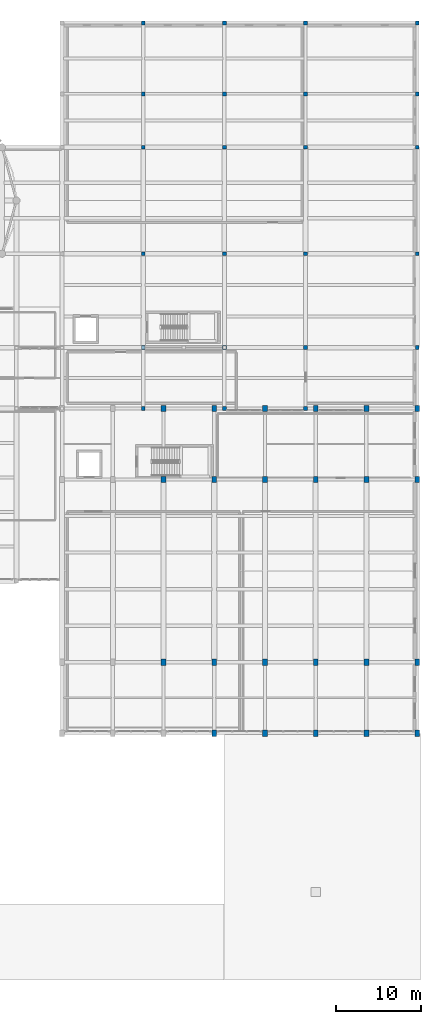
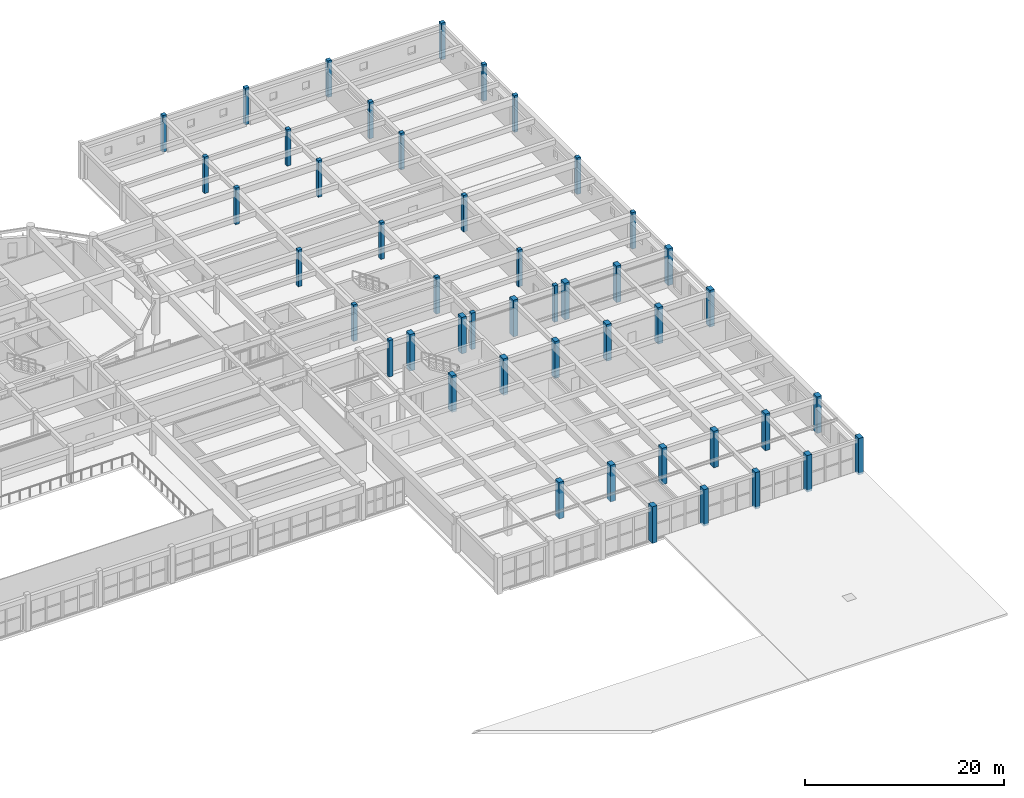
# One storey, part 4 of 92: 46 columns.
"""IFC4 building model written with IfcOpenShell, lengths in metres."""

import ifcopenshell
import ifcopenshell.guid

model = None  # the IFC model being written
_history = None  # IfcOwnerHistory: only IFC2X3 demands one
_inside = {}  # id of a spatial element -> (the spatial element, [elements in it])
_under = {}  # id of a project, library or spatial element -> (it, [spatial elements below it])
_declared = {}  # id of a project -> (the project, [libraries it declares])
_typed = {}  # id of a type object -> (the type object, [elements of that type])
_made_of = {}  # id of a material, layer set ... -> (it, [elements and type objects made of it])


def new_model(schema):
    """Start an empty IFC model of exactly this schema.

    Asked for "IFC4X3", IfcOpenShell would pick the latest addendum, in which some entities
    have other attributes; the version numbers below select the first issue.
    IFC2X3 requires an IfcOwnerHistory on every rooted entity: one is made here for all.
    """
    global model, _history
    if schema == "IFC4X3":
        model = ifcopenshell.file(schema_version=(4, 3, 0, 0))
    else:
        model = ifcopenshell.file(schema=schema)
    _inside.clear()
    _under.clear()
    _declared.clear()
    _typed.clear()
    _made_of.clear()
    _history = None
    if model.schema == "IFC2X3":
        org = make("IfcOrganization", Name="unknown")
        user = make(
            "IfcPersonAndOrganization",
            ThePerson=make("IfcPerson", FamilyName="unknown"),
            TheOrganization=org,
        )
        app = make(
            "IfcApplication",
            ApplicationDeveloper=org,
            Version="unknown",
            ApplicationFullName="unknown",
            ApplicationIdentifier="unknown",
        )
        _history = make(
            "IfcOwnerHistory",
            OwningUser=user,
            OwningApplication=app,
            ChangeAction="ADDED",
            CreationDate=0,
        )
    return model


def make(cls, **values):
    """One entity of the class cls with the attributes given. An attribute that is None is left unset."""
    return model.create_entity(
        cls, **{name: value for name, value in values.items() if value is not None}
    )


def rooted(cls, **values):
    """An entity with a GlobalId (a new one), such as an element, a storey or a relation."""
    return make(cls, GlobalId=ifcopenshell.guid.new(), OwnerHistory=_history, **values)


def si_unit(unit_type, name, prefix=None):
    """IfcSIUnit, for example si_unit("LENGTHUNIT", "METRE", prefix="MILLI")."""
    return make("IfcSIUnit", UnitType=unit_type, Prefix=prefix, Name=name)


def assignment(units):
    """IfcUnitAssignment: the units of a project."""
    return None if units is None else make("IfcUnitAssignment", Units=units)


def point(xyz):
    """IfcCartesianPoint."""
    return None if xyz is None else make("IfcCartesianPoint", Coordinates=xyz)


def direction(xyz):
    """IfcDirection."""
    return None if xyz is None else make("IfcDirection", DirectionRatios=xyz)


def frame(location, z_axis=None, x_axis=None):
    """IfcAxis2Placement3D, a coordinate frame: its origin and axes. An axis left out is left unset."""
    return make(
        "IfcAxis2Placement3D",
        Location=point(location),
        Axis=direction(z_axis),
        RefDirection=direction(x_axis),
    )


def frame_2d(location, x_axis=None):
    """IfcAxis2Placement2D, a coordinate frame in the plane: its origin and x axis."""
    return make(
        "IfcAxis2Placement2D", Location=point(location), RefDirection=direction(x_axis)
    )


def origin():
    """The frame at (0, 0, 0) with its axes left unset."""
    return frame((0.0, 0.0, 0.0))


def origin_2d():
    """The frame at (0, 0) in the plane with its x axis left unset."""
    return frame_2d((0.0, 0.0))


def place(relative_to, where):
    """IfcLocalPlacement: puts the frame where relative to a parent placement (None: the world)."""
    return make(
        "IfcLocalPlacement", PlacementRelTo=relative_to, RelativePlacement=where
    )


def context(
    kind, dimensions, precision=None, world=None, true_north=None, identifier=None
):
    """IfcGeometricRepresentationContext, for example the 3D "Model" context."""
    return make(
        "IfcGeometricRepresentationContext",
        ContextIdentifier=identifier,
        ContextType=kind,
        CoordinateSpaceDimension=dimensions,
        Precision=precision,
        WorldCoordinateSystem=world,
        TrueNorth=true_north,
    )


def subcontext(parent, identifier, kind, view, scale=None):
    """IfcGeometricRepresentationSubContext, for example "Body" below "Model"."""
    return make(
        "IfcGeometricRepresentationSubContext",
        ContextIdentifier=identifier,
        ContextType=kind,
        ParentContext=parent,
        TargetScale=scale,
        TargetView=view,
    )


def project(units=None, contexts=None):
    """IfcProject with its units and contexts."""
    return rooted(
        "IfcProject",
        Name="project",
        RepresentationContexts=contexts,
        UnitsInContext=assignment(units),
    )


def spatial(cls, under=None, at=None, **own):
    """A site, building, storey or space (cls), placed at a placement, below another one or the project."""
    s = rooted(cls, ObjectPlacement=at, **own)
    if under is not None:
        _under.setdefault(under.id(), (under, []))[1].append(s)
    return s


def profile(cls, at=None, kind="AREA", **sizes):
    """A parametric profile (cls). Its sizes go by their IFC names, for example OverallWidth=200.0."""
    return make(cls, ProfileType=kind, Position=at, **sizes)


def rectangle(**sizes):
    """IfcRectangleProfileDef."""
    return profile("IfcRectangleProfileDef", **sizes)


def extrude(swept, where, along, depth):
    """IfcExtrudedAreaSolid: the profile swept, set in the frame where, extruded along a direction by depth."""
    return make(
        "IfcExtrudedAreaSolid",
        SweptArea=swept,
        Position=where,
        ExtrudedDirection=direction(along),
        Depth=depth,
    )


def shape(context_of_items, identifier, shape_type, items):
    """IfcShapeRepresentation: the items that make up one representation, for example the "Body"."""
    return make(
        "IfcShapeRepresentation",
        ContextOfItems=context_of_items,
        RepresentationIdentifier=identifier,
        RepresentationType=shape_type,
        Items=items,
    )


def material(Name=None, Category=None):
    """IfcMaterial."""
    return make("IfcMaterial", Name=Name, Category=Category)


def material_profile(
    of_material, cross_section, Name=None, Category=None, Priority=None
):
    """IfcMaterialProfile: a cross section and its material."""
    return make(
        "IfcMaterialProfile",
        Name=Name,
        Material=of_material,
        Profile=cross_section,
        Priority=Priority,
        Category=Category,
    )


def profile_set(profiles, Name=None, composite=None):
    """IfcMaterialProfileSet."""
    return make(
        "IfcMaterialProfileSet",
        Name=Name,
        MaterialProfiles=profiles,
        CompositeProfile=composite,
    )


def made_of(thing, what):
    """Note that an element or type object is made of a material, layer set ...; save() writes the relation."""
    if what is not None:
        _made_of.setdefault(what.id(), (what, []))[1].append(thing)
    return thing


def type_object(cls, material=None, **own):
    """A type object (cls), such as IfcWallType, which elements share."""
    return made_of(rooted(cls, **own), material)


def element(
    cls,
    number,
    at=None,
    inside=None,
    cuts=None,
    type_object=None,
    material=None,
    context=None,
    identifier="Body",
    shape_type=None,
    held_by="IfcProductDefinitionShape",
    body=None,
    shapes=None,
    **own,
):
    """One element of the class cls, such as IfcWall. Its Tag is "e" and its number.

    at: its placement. inside: the storey or other place that contains it. cuts: it is an
    opening in that element (IfcRelVoidsElement). A single representation is given by context,
    identifier, shape_type and body (its items); several are given by shapes. held_by: the class
    of the entity that holds the representations. save() writes the other relations.
    """
    e = rooted(cls, Tag="e%d" % number, ObjectPlacement=at, **own)
    if body is not None:
        shapes = [shape(context, identifier, shape_type, body)]
    if shapes is not None:
        e.Representation = make(held_by, Representations=shapes)
    if inside is not None:
        _inside.setdefault(inside.id(), (inside, []))[1].append(e)
    if cuts is not None:
        rooted(
            "IfcRelVoidsElement", RelatingBuildingElement=cuts, RelatedOpeningElement=e
        )
    if type_object is not None:
        _typed.setdefault(type_object.id(), (type_object, []))[1].append(e)
    return made_of(e, material)


def aggregate(whole, parts):
    """IfcRelAggregates: a whole, such as a stair, and the parts it consists of."""
    return rooted("IfcRelAggregates", RelatingObject=whole, RelatedObjects=parts)


def save(model, path):
    """Write the relations noted so far, then the file.

    IfcRelAggregates (storeys below a building ...), IfcRelContainedInSpatialStructure (elements
    in a storey), IfcRelDefinesByType, IfcRelAssociatesMaterial and IfcRelDeclares: one each for
    every whole, place, type object, material and project.
    """
    for whole, parts in _under.values():
        aggregate(whole, parts)
    for where, things in _inside.values():
        rooted(
            "IfcRelContainedInSpatialStructure",
            RelatedElements=things,
            RelatingStructure=where,
        )
    for kind, things in _typed.values():
        rooted("IfcRelDefinesByType", RelatedObjects=things, RelatingType=kind)
    for what, things in _made_of.values():
        rooted("IfcRelAssociatesMaterial", RelatedObjects=things, RelatingMaterial=what)
    for by, libraries in _declared.values():
        rooted("IfcRelDeclares", RelatingContext=by, RelatedDefinitions=libraries)
    model.write(path)


model = new_model("IFC4")

# Units and contexts
model_context = context("Model", 3, precision=1e-05, world=origin(), true_north=direction((0.0, 1.0)))
body_context = subcontext(model_context, "Body", "Model", "MODEL_VIEW")
ifc_project = project(units=[si_unit("LENGTHUNIT", "METRE"), si_unit("AREAUNIT", "SQUARE_METRE"), si_unit("VOLUMEUNIT", "CUBIC_METRE"), si_unit("PLANEANGLEUNIT", "RADIAN"), si_unit("MASSUNIT", "GRAM", prefix="KILO")], contexts=[model_context])

# Site, building, storey
site_placement = place(None, origin())
site = spatial("IfcSite", under=ifc_project, at=site_placement, CompositionType="ELEMENT")
building_placement = place(site_placement, origin())
building = spatial("IfcBuilding", under=site, at=building_placement, Name="Tarnavel Promenade Courthouse", CompositionType="ELEMENT")
storey_placement = place(building_placement, frame((0.0, 0.0, 5.39990234375)))
storey = spatial("IfcBuildingStorey", under=building, at=storey_placement, Name="L02", CompositionType="ELEMENT", Elevation=5.39990234375)

# Columns
ifc_material = material(Name="Concrete C40/50", Category="concrete")
ifc_material_profile_1 = material_profile(ifc_material, rectangle(XDim=0.449951171875, YDim=0.449951171875, at=origin_2d()), Name="RC 450x450")
ifc_profile_set_1 = profile_set([ifc_material_profile_1], Name="Concrete C40/50")
column_type_1 = type_object("IfcColumnType", Name="Concrete C40/50 COL-RC450-PAV (RC 450x450)", PredefinedType="COLUMN", material=ifc_profile_set_1)
for number, where, z_axis, x_axis, name in (
    (1, (129.60009765625, 67.199951171875, 0.0), (0.0, 0.0, 1.0), (1.0, 0.0, 0.0), "L02 Structural Column 0908"),
    (2, (129.60009765625, 74.39990234375, 0.0), (0.0, 0.0, 1.0), (1.0, 0.0, 0.0), "L02 Structural Column 0912"),
    (3, (129.60009765625, 85.5, 0.0), (0.0, 0.0, 1.0), (1.0, 0.0, 0.0), "L02 Structural Column 0916"),
    (4, (129.60009765625, 98.10009765625, 0.0), (0.0, 0.0, 1.0), (1.0, 0.0, 0.0), "L02 Structural Column 0920"),
    (5, (129.60009765625, 104.39990234375, 0.0), (0.0, 0.0, 1.0), (1.0, 0.0, 0.0), "L02 Structural Column 0924"),
    (6, (129.60009765625, 112.800048828125, 0.0), (0.0, 0.0, 1.0), (1.0, 0.0, 0.0), "L02 Structural Column 0928"),
    (7, (139.199951171875, 67.199951171875, 0.0), (0.0, 0.0, 1.0), (1.0, 0.0, 0.0), "L02 Structural Column 0932"),
    (8, (139.199951171875, 74.39990234375, 0.0), (0.0, 0.0, 1.0), (1.0, 0.0, 0.0), "L02 Structural Column 0936"),
    (9, (139.199951171875, 85.5, 0.0), (0.0, 0.0, 1.0), (1.0, 0.0, 0.0), "L02 Structural Column 0940"),
    (10, (139.199951171875, 98.10009765625, 0.0), (0.0, 0.0, 1.0), (1.0, 0.0, 0.0), "L02 Structural Column 0944"),
    (11, (139.199951171875, 104.39990234375, 0.0), (0.0, 0.0, 1.0), (1.0, 0.0, 0.0), "L02 Structural Column 0948"),
    (12, (139.199951171875, 112.800048828125, 0.0), (0.0, 0.0, 1.0), (1.0, 0.0, 0.0), "L02 Structural Column 0952"),
    (13, (148.800048828125, 67.199951171875, 0.0), (0.0, 0.0, 1.0), (1.0, 0.0, 0.0), "L02 Structural Column 0956"),
    (14, (148.800048828125, 74.39990234375, 0.0), (0.0, 0.0, 1.0), (1.0, 0.0, 0.0), "L02 Structural Column 0960"),
    (15, (148.800048828125, 85.5, 0.0), (0.0, 0.0, 1.0), (1.0, 0.0, 0.0), "L02 Structural Column 0964"),
    (16, (148.800048828125, 98.10009765625, 0.0), (0.0, 0.0, 1.0), (1.0, 0.0, 0.0), "L02 Structural Column 0968"),
    (17, (148.800048828125, 104.39990234375, 0.0), (0.0, 0.0, 1.0), (1.0, 0.0, 0.0), "L02 Structural Column 0972"),
    (18, (148.800048828125, 112.800048828125, 0.0), (0.0, 0.0, 1.0), (1.0, 0.0, 0.0), "L02 Structural Column 0976"),
    (19, (162.0, 74.39990234375, 0.0), (0.0, 0.0, 1.0), (1.0, 0.0, 0.0), "L02 Structural Column 0980"),
    (20, (162.0, 85.5, 0.0), (0.0, 0.0, 1.0), (1.0, 0.0, 0.0), "L02 Structural Column 0984"),
    (21, (162.0, 98.10009765625, 0.0), (0.0, 0.0, 1.0), (1.0, 0.0, 0.0), "L02 Structural Column 0988"),
    (22, (162.0, 104.39990234375, 0.0), (0.0, 0.0, 1.0), (1.0, 0.0, 0.0), "L02 Structural Column 0992"),
    (23, (162.0, 112.800048828125, 0.0), (0.0, 0.0, 1.0), (1.0, 0.0, 0.0), "L02 Structural Column 0996"),
):
    element("IfcColumn", number, at=place(storey_placement, frame(where, z_axis=z_axis, x_axis=x_axis)), inside=storey, type_object=column_type_1, Name=name, PredefinedType="COLUMN", context=body_context, shape_type="SweptSolid", body=[
        extrude(rectangle(XDim=0.449951171875, YDim=0.449951171875, at=origin_2d()), origin(), (0.0, 0.0, 1.0), 4.5),
    ])
ifc_material_profile_2 = material_profile(ifc_material, rectangle(XDim=0.550048828125, YDim=0.75, at=origin_2d()), Name="RC 550x750")
ifc_profile_set_2 = profile_set([ifc_material_profile_2], Name="Concrete C40/50")
column_type_2 = type_object("IfcColumnType", Name="Concrete C40/50 COL-RC550x750 (RC 550x750)", PredefinedType="COLUMN", material=ifc_profile_set_2)
for number, where, z_axis, x_axis, name in (
    (24, (132.0, 37.199951171875, 0.0), (0.0, 0.0, 1.0), (1.0, 0.0, 0.0), "L02 Structural Column 0773"),
    (25, (132.0, 58.800048828125, 0.0), (0.0, 0.0, 1.0), (1.0, 0.0, 0.0), "L02 Structural Column 0778"),
    (26, (132.0, 67.199951171875, 0.0), (0.0, 0.0, 1.0), (1.0, 0.0, 0.0), "L02 Structural Column 0783"),
    (27, (138.0, 28.800048828125, 0.0), (0.0, 0.0, 1.0), (1.0, 0.0, 0.0), "L02 Structural Column 0788"),
    (28, (138.0, 37.199951171875, 0.0), (0.0, 0.0, 1.0), (1.0, 0.0, 0.0), "L02 Structural Column 0793"),
    (29, (138.0, 58.800048828125, 0.0), (0.0, 0.0, 1.0), (1.0, 0.0, 0.0), "L02 Structural Column 0798"),
    (30, (138.0, 67.199951171875, 0.0), (0.0, 0.0, 1.0), (1.0, 0.0, 0.0), "L02 Structural Column 0803"),
    (31, (144.0, 28.800048828125, 0.0), (0.0, 0.0, 1.0), (1.0, 0.0, 0.0), "L02 Structural Column 0808"),
    (32, (144.0, 37.199951171875, 0.0), (0.0, 0.0, 1.0), (1.0, 0.0, 0.0), "L02 Structural Column 0813"),
    (33, (144.0, 58.800048828125, 0.0), (0.0, 0.0, 1.0), (1.0, 0.0, 0.0), "L02 Structural Column 0818"),
    (34, (144.0, 67.199951171875, 0.0), (0.0, 0.0, 1.0), (1.0, 0.0, 0.0), "L02 Structural Column 0823"),
    (35, (150.0, 28.800048828125, 0.0), (0.0, 0.0, 1.0), (1.0, 0.0, 0.0), "L02 Structural Column 0828"),
    (36, (150.0, 37.199951171875, 0.0), (0.0, 0.0, 1.0), (1.0, 0.0, 0.0), "L02 Structural Column 0833"),
    (37, (150.0, 58.800048828125, 0.0), (0.0, 0.0, 1.0), (1.0, 0.0, 0.0), "L02 Structural Column 0838"),
    (38, (150.0, 67.199951171875, 0.0), (0.0, 0.0, 1.0), (1.0, 0.0, 0.0), "L02 Structural Column 0843"),
    (39, (156.0, 28.800048828125, 0.0), (0.0, 0.0, 1.0), (1.0, 0.0, 0.0), "L02 Structural Column 0848"),
    (40, (156.0, 37.199951171875, 0.0), (0.0, 0.0, 1.0), (1.0, 0.0, 0.0), "L02 Structural Column 0853"),
    (41, (156.0, 58.800048828125, 0.0), (0.0, 0.0, 1.0), (1.0, 0.0, 0.0), "L02 Structural Column 0858"),
    (42, (156.0, 67.199951171875, 0.0), (0.0, 0.0, 1.0), (1.0, 0.0, 0.0), "L02 Structural Column 0863"),
    (43, (162.0, 28.800048828125, 0.0), (0.0, 0.0, 1.0), (1.0, 0.0, 0.0), "L02 Structural Column 0868"),
    (44, (162.0, 37.199951171875, 0.0), (0.0, 0.0, 1.0), (1.0, 0.0, 0.0), "L02 Structural Column 0873"),
    (45, (162.0, 58.800048828125, 0.0), (0.0, 0.0, 1.0), (1.0, 0.0, 0.0), "L02 Structural Column 0878"),
    (46, (162.0, 67.199951171875, 0.0), (0.0, 0.0, 1.0), (1.0, 0.0, 0.0), "L02 Structural Column 0883"),
):
    element("IfcColumn", number, at=place(storey_placement, frame(where, z_axis=z_axis, x_axis=x_axis)), inside=storey, type_object=column_type_2, Name=name, PredefinedType="COLUMN", context=body_context, shape_type="SweptSolid", body=[
        extrude(rectangle(XDim=0.550048828125, YDim=0.75, at=origin_2d()), origin(), (0.0, 0.0, 1.0), 4.5),
    ])

save(model, "model.ifc")
